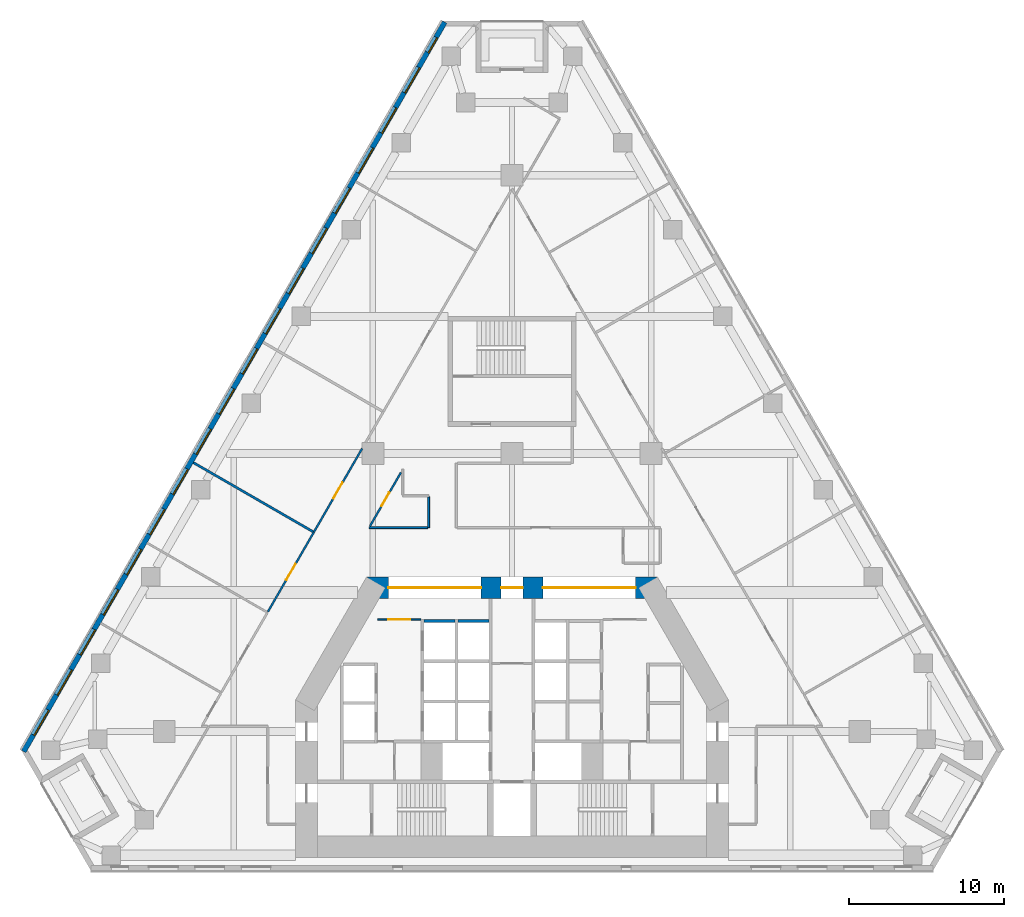
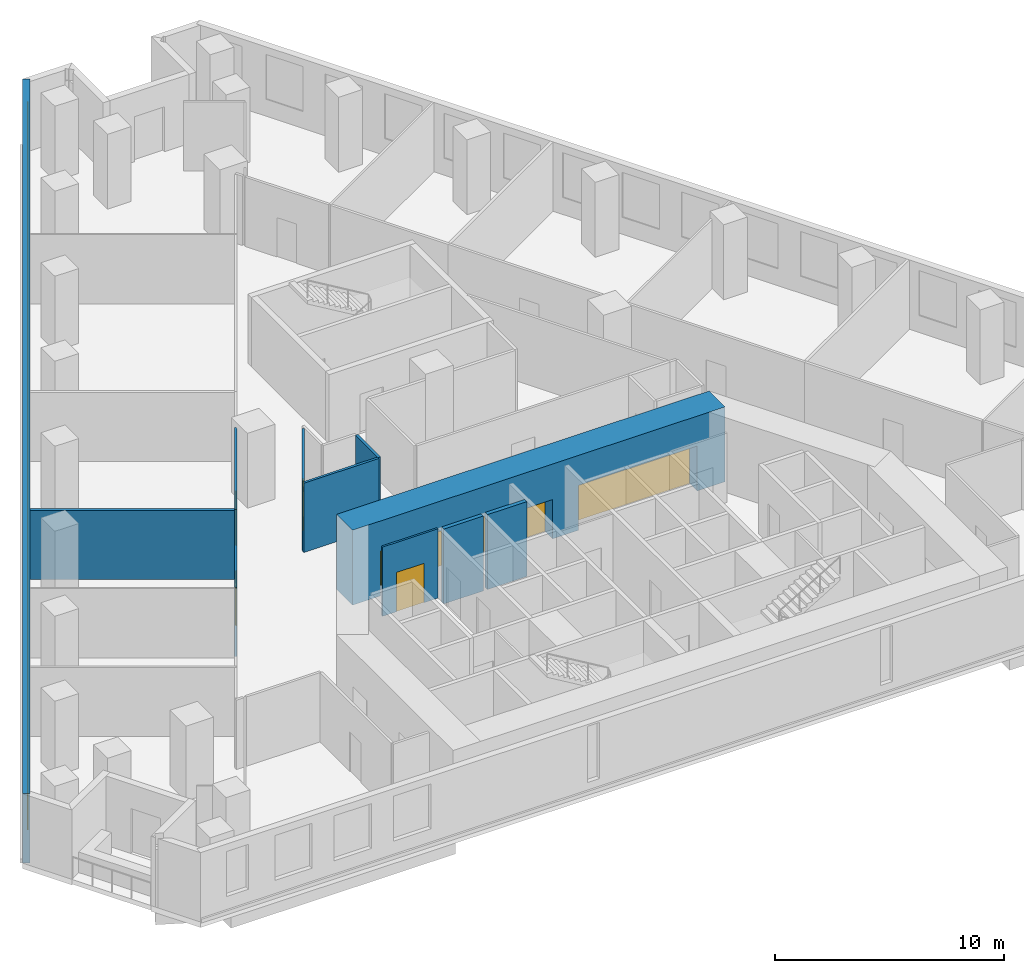
# One storey, part 5 of 11: 18 windows, 11 walls, 7 doors, 25 openings.
"""IFC4 building model written with IfcOpenShell, lengths in metres."""

import ifcopenshell
import ifcopenshell.guid

model = None  # the IFC model being written
_history = None  # IfcOwnerHistory: only IFC2X3 demands one
_inside = {}  # id of a spatial element -> (the spatial element, [elements in it])
_under = {}  # id of a project, library or spatial element -> (it, [spatial elements below it])
_declared = {}  # id of a project -> (the project, [libraries it declares])
_typed = {}  # id of a type object -> (the type object, [elements of that type])
_made_of = {}  # id of a material, layer set ... -> (it, [elements and type objects made of it])


def new_model(schema):
    """Start an empty IFC model of exactly this schema.

    Asked for "IFC4X3", IfcOpenShell would pick the latest addendum, in which some entities
    have other attributes; the version numbers below select the first issue.
    IFC2X3 requires an IfcOwnerHistory on every rooted entity: one is made here for all.
    """
    global model, _history
    if schema == "IFC4X3":
        model = ifcopenshell.file(schema_version=(4, 3, 0, 0))
    else:
        model = ifcopenshell.file(schema=schema)
    _inside.clear()
    _under.clear()
    _declared.clear()
    _typed.clear()
    _made_of.clear()
    _history = None
    if model.schema == "IFC2X3":
        org = make("IfcOrganization", Name="unknown")
        user = make(
            "IfcPersonAndOrganization",
            ThePerson=make("IfcPerson", FamilyName="unknown"),
            TheOrganization=org,
        )
        app = make(
            "IfcApplication",
            ApplicationDeveloper=org,
            Version="unknown",
            ApplicationFullName="unknown",
            ApplicationIdentifier="unknown",
        )
        _history = make(
            "IfcOwnerHistory",
            OwningUser=user,
            OwningApplication=app,
            ChangeAction="ADDED",
            CreationDate=0,
        )
    return model


def make(cls, **values):
    """One entity of the class cls with the attributes given. An attribute that is None is left unset."""
    return model.create_entity(
        cls, **{name: value for name, value in values.items() if value is not None}
    )


def rooted(cls, **values):
    """An entity with a GlobalId (a new one), such as an element, a storey or a relation."""
    return make(cls, GlobalId=ifcopenshell.guid.new(), OwnerHistory=_history, **values)


def si_unit(unit_type, name, prefix=None):
    """IfcSIUnit, for example si_unit("LENGTHUNIT", "METRE", prefix="MILLI")."""
    return make("IfcSIUnit", UnitType=unit_type, Prefix=prefix, Name=name)


def assignment(units):
    """IfcUnitAssignment: the units of a project."""
    return None if units is None else make("IfcUnitAssignment", Units=units)


def point(xyz):
    """IfcCartesianPoint."""
    return None if xyz is None else make("IfcCartesianPoint", Coordinates=xyz)


def direction(xyz):
    """IfcDirection."""
    return None if xyz is None else make("IfcDirection", DirectionRatios=xyz)


def frame(location, z_axis=None, x_axis=None):
    """IfcAxis2Placement3D, a coordinate frame: its origin and axes. An axis left out is left unset."""
    return make(
        "IfcAxis2Placement3D",
        Location=point(location),
        Axis=direction(z_axis),
        RefDirection=direction(x_axis),
    )


def frame_2d(location, x_axis=None):
    """IfcAxis2Placement2D, a coordinate frame in the plane: its origin and x axis."""
    return make(
        "IfcAxis2Placement2D", Location=point(location), RefDirection=direction(x_axis)
    )


def origin():
    """The frame at (0, 0, 0) with its axes left unset."""
    return frame((0.0, 0.0, 0.0))


def place(relative_to, where):
    """IfcLocalPlacement: puts the frame where relative to a parent placement (None: the world)."""
    return make(
        "IfcLocalPlacement", PlacementRelTo=relative_to, RelativePlacement=where
    )


def context(
    kind, dimensions, precision=None, world=None, true_north=None, identifier=None
):
    """IfcGeometricRepresentationContext, for example the 3D "Model" context."""
    return make(
        "IfcGeometricRepresentationContext",
        ContextIdentifier=identifier,
        ContextType=kind,
        CoordinateSpaceDimension=dimensions,
        Precision=precision,
        WorldCoordinateSystem=world,
        TrueNorth=true_north,
    )


def subcontext(parent, identifier, kind, view, scale=None):
    """IfcGeometricRepresentationSubContext, for example "Body" below "Model"."""
    return make(
        "IfcGeometricRepresentationSubContext",
        ContextIdentifier=identifier,
        ContextType=kind,
        ParentContext=parent,
        TargetScale=scale,
        TargetView=view,
    )


def project(units=None, contexts=None):
    """IfcProject with its units and contexts."""
    return rooted(
        "IfcProject",
        Name="project",
        RepresentationContexts=contexts,
        UnitsInContext=assignment(units),
    )


def spatial(cls, under=None, at=None, **own):
    """A site, building, storey or space (cls), placed at a placement, below another one or the project."""
    s = rooted(cls, ObjectPlacement=at, **own)
    if under is not None:
        _under.setdefault(under.id(), (under, []))[1].append(s)
    return s


def profile(cls, at=None, kind="AREA", **sizes):
    """A parametric profile (cls). Its sizes go by their IFC names, for example OverallWidth=200.0."""
    return make(cls, ProfileType=kind, Position=at, **sizes)


def rectangle(**sizes):
    """IfcRectangleProfileDef."""
    return profile("IfcRectangleProfileDef", **sizes)


def extrude(swept, where, along, depth):
    """IfcExtrudedAreaSolid: the profile swept, set in the frame where, extruded along a direction by depth."""
    return make(
        "IfcExtrudedAreaSolid",
        SweptArea=swept,
        Position=where,
        ExtrudedDirection=direction(along),
        Depth=depth,
    )


def shape(context_of_items, identifier, shape_type, items):
    """IfcShapeRepresentation: the items that make up one representation, for example the "Body"."""
    return make(
        "IfcShapeRepresentation",
        ContextOfItems=context_of_items,
        RepresentationIdentifier=identifier,
        RepresentationType=shape_type,
        Items=items,
    )


def material(Name=None, Category=None):
    """IfcMaterial."""
    return make("IfcMaterial", Name=Name, Category=Category)


def layer(
    of_material, thickness, ventilated=None, Name=None, Category=None, Priority=None
):
    """IfcMaterialLayer: one layer of a wall or slab, of a material (None: an air gap)."""
    return make(
        "IfcMaterialLayer",
        Material=of_material,
        LayerThickness=thickness,
        IsVentilated=ventilated,
        Name=Name,
        Category=Category,
        Priority=Priority,
    )


def layer_set(layers, Name=None):
    """IfcMaterialLayerSet."""
    return make("IfcMaterialLayerSet", MaterialLayers=layers, LayerSetName=Name)


def made_of(thing, what):
    """Note that an element or type object is made of a material, layer set ...; save() writes the relation."""
    if what is not None:
        _made_of.setdefault(what.id(), (what, []))[1].append(thing)
    return thing


def type_object(cls, material=None, **own):
    """A type object (cls), such as IfcWallType, which elements share."""
    return made_of(rooted(cls, **own), material)


def element(
    cls,
    number,
    at=None,
    inside=None,
    cuts=None,
    type_object=None,
    material=None,
    context=None,
    identifier="Body",
    shape_type=None,
    held_by="IfcProductDefinitionShape",
    body=None,
    shapes=None,
    **own,
):
    """One element of the class cls, such as IfcWall. Its Tag is "e" and its number.

    at: its placement. inside: the storey or other place that contains it. cuts: it is an
    opening in that element (IfcRelVoidsElement). A single representation is given by context,
    identifier, shape_type and body (its items); several are given by shapes. held_by: the class
    of the entity that holds the representations. save() writes the other relations.
    """
    e = rooted(cls, Tag="e%d" % number, ObjectPlacement=at, **own)
    if body is not None:
        shapes = [shape(context, identifier, shape_type, body)]
    if shapes is not None:
        e.Representation = make(held_by, Representations=shapes)
    if inside is not None:
        _inside.setdefault(inside.id(), (inside, []))[1].append(e)
    if cuts is not None:
        rooted(
            "IfcRelVoidsElement", RelatingBuildingElement=cuts, RelatedOpeningElement=e
        )
    if type_object is not None:
        _typed.setdefault(type_object.id(), (type_object, []))[1].append(e)
    return made_of(e, material)


def fill(opening, filler):
    """IfcRelFillsElement: the door or window that sits in an opening."""
    return rooted(
        "IfcRelFillsElement",
        RelatingOpeningElement=opening,
        RelatedBuildingElement=filler,
    )


def aggregate(whole, parts):
    """IfcRelAggregates: a whole, such as a stair, and the parts it consists of."""
    return rooted("IfcRelAggregates", RelatingObject=whole, RelatedObjects=parts)


def save(model, path):
    """Write the relations noted so far, then the file.

    IfcRelAggregates (storeys below a building ...), IfcRelContainedInSpatialStructure (elements
    in a storey), IfcRelDefinesByType, IfcRelAssociatesMaterial and IfcRelDeclares: one each for
    every whole, place, type object, material and project.
    """
    for whole, parts in _under.values():
        aggregate(whole, parts)
    for where, things in _inside.values():
        rooted(
            "IfcRelContainedInSpatialStructure",
            RelatedElements=things,
            RelatingStructure=where,
        )
    for kind, things in _typed.values():
        rooted("IfcRelDefinesByType", RelatedObjects=things, RelatingType=kind)
    for what, things in _made_of.values():
        rooted("IfcRelAssociatesMaterial", RelatedObjects=things, RelatingMaterial=what)
    for by, libraries in _declared.values():
        rooted("IfcRelDeclares", RelatingContext=by, RelatedDefinitions=libraries)
    model.write(path)


model = new_model("IFC4")

# Units and contexts
model_context = context("Model", 3, precision=1e-05, world=origin(), true_north=direction((0.0, 1.0)))
body_context = subcontext(model_context, "Body", "Model", "MODEL_VIEW")
ifc_project = project(units=[si_unit("LENGTHUNIT", "METRE"), si_unit("AREAUNIT", "SQUARE_METRE"), si_unit("VOLUMEUNIT", "CUBIC_METRE"), si_unit("PLANEANGLEUNIT", "RADIAN"), si_unit("MASSUNIT", "GRAM", prefix="KILO")], contexts=[model_context])

# Site, building, storey
site_placement = place(None, origin())
site = spatial("IfcSite", under=ifc_project, at=site_placement, CompositionType="ELEMENT")
building_placement = place(site_placement, origin())
building = spatial("IfcBuilding", under=site, at=building_placement, Name="Fogline Exchange Tower", CompositionType="ELEMENT")
storey_placement = place(building_placement, frame((0.0, 0.0, 52.89990234375)))
storey = spatial("IfcBuildingStorey", under=building, at=storey_placement, Name="L10", CompositionType="ELEMENT", Elevation=52.89990234375)

# Wall, opening, door
ifc_material_1 = material(Name="Blockwork partition", Category="masonry")
ifc_layer_1 = layer(ifc_material_1, 0.10009765625)
ifc_layer_set_1 = layer_set([ifc_layer_1], Name="CW10")
wall_type_1 = type_object("IfcWallType", Name="CW10", PredefinedType="PARTITIONING", material=ifc_layer_set_1)
wall_1_placement = place(storey_placement, frame((-8.699951171875, 16.25, 0.0), z_axis=(0.0, 0.0, 1.0), x_axis=(1.0, 0.0, 0.0)))
wall_1 = element("IfcWall", 1, at=wall_1_placement, inside=storey, type_object=wall_type_1, Name="Lift lobby partition", PredefinedType="PARTITIONING", context=body_context, shape_type="SweptSolid", body=[
    extrude(rectangle(XDim=2.800048828125, YDim=0.10009765625, at=frame_2d((1.39990234375, 0.0))), origin(), (0.0, 0.0, 1.0), 3.7001953125),
])
opening_1_placement = place(wall_1_placement, frame((0.699951171875, 0.0, 0.0)))
opening_1 = element("IfcOpeningElement", 2, at=opening_1_placement, cuts=wall_1, Name="Opening T03-C007", PredefinedType="OPENING", context=body_context, shape_type="SweptSolid", body=[
    extrude(rectangle(XDim=1.39990234375, YDim=2.10009765625, at=frame_2d((0.699951171875, 1.050048828125))), frame((0.0, 0.06005859375, 0.0), z_axis=(0.0, -1.0, 0.0), x_axis=(1.0, 0.0, 0.0)), (0.0, 0.0, 1.0), 0.1201171875),
])
ifc_material_2 = material(Name="Steel and timber fire door", Category="steel")
door_type_1 = type_object("IfcDoorType", Name="D-LB1", OperationType="DOUBLE_DOOR_SINGLE_SWING", PredefinedType="DOOR", material=ifc_material_2)
door_1_placement = place(opening_1_placement, origin())
door_1 = element("IfcDoor", 3, at=door_1_placement, inside=storey, type_object=door_type_1, Name="Door to lift lobby", OperationType="DOUBLE_DOOR_SINGLE_SWING", OverallHeight=2.10009765625, OverallWidth=1.39990234375, PredefinedType="DOOR", context=body_context, shape_type="SweptSolid", body=[
    extrude(rectangle(XDim=1.39990234375, YDim=2.10009765625, at=frame_2d((0.699951171875, 1.050048828125))), frame((0.0, 0.02490234375, 0.0), z_axis=(0.0, -1.0, 0.0), x_axis=(1.0, 0.0, 0.0)), (0.0, 0.0, 1.0), 0.050048828125),
])
fill(opening_1, door_1)

# Walls
ifc_material_3 = material(Name="Concrete C40", Category="concrete")
ifc_layer_2 = layer(ifc_material_3, 0.199951171875)
ifc_layer_set_2 = layer_set([ifc_layer_2], Name="CW20S")
wall_type_2 = type_object("IfcWallType", Name="CW20S", PredefinedType="SOLIDWALL", material=ifc_layer_set_2)
for number, where, z_axis, x_axis, name in (
    (4, (-5.699951171875, 16.14990234375, -0.2998046875), (0.0, 0.0, 1.0), (1.0, 0.0, 0.0), "Lift shaft wall"),
    (5, (-3.5, 16.14990234375, -0.2998046875), (0.0, 0.0, 1.0), (1.0, 0.0, 0.0), "Lift shaft wall"),
):
    element("IfcWall", number, at=place(storey_placement, frame(where, z_axis=z_axis, x_axis=x_axis)), inside=storey, type_object=wall_type_2, Name=name, PredefinedType="SOLIDWALL", context=body_context, shape_type="SweptSolid", body=[
        extrude(rectangle(XDim=2.0, YDim=0.199951171875, at=frame_2d((1.0, 0.0))), origin(), (0.0, 0.0, 1.0), 4.0),
    ])

# Wall, openings, windows
ifc_material_4 = material(Name="Brick masonry", Category="masonry")
ifc_layer_3 = layer(ifc_material_4, 0.340087890625)
ifc_layer_set_3 = layer_set([ifc_layer_3], Name="FW1")
wall_type_3 = type_object("IfcWallType", Name="FW1", PredefinedType="SOLIDWALL", material=ifc_layer_set_3)
wall_2_placement = place(storey_placement, frame((-4.352783203125, 54.916748046875, 0.0), z_axis=(0.0, 0.0, 1.0), x_axis=(-0.499997975305, -0.86602657274, 0.0)))
wall_2 = element("IfcWall", 6, at=wall_2_placement, inside=storey, type_object=wall_type_3, Name="Brick wall L10 W", PredefinedType="SOLIDWALL", context=body_context, shape_type="SweptSolid", body=[
    extrude(rectangle(XDim=54.510498046875, YDim=0.340087890625, at=frame_2d((27.25537109375, 0.0))), origin(), (0.0, 0.0, 1.0), 3.7001953125),
])
opening_2_placement = place(wall_2_placement, frame((3.3828125, 0.0, 0.89990234375)))
opening_2 = element("IfcOpeningElement", 7, at=opening_2_placement, cuts=wall_2, Name="Opening W1", PredefinedType="OPENING", context=body_context, shape_type="SweptSolid", body=[
    extrude(rectangle(XDim=1.885009765625, YDim=2.39990234375, at=frame_2d((0.9423828125, 1.199951171875))), frame((0.0, 0.18017578125, 0.0), z_axis=(0.0, -1.0, 0.0), x_axis=(1.0, 0.0, 0.0)), (0.0, 0.0, 1.0), 0.360107421875),
])
opening_3_placement = place(wall_2_placement, frame((6.3828125, 0.0, 0.89990234375)))
opening_3 = element("IfcOpeningElement", 8, at=opening_3_placement, cuts=wall_2, Name="Opening W1", PredefinedType="OPENING", context=body_context, shape_type="SweptSolid", body=[
    extrude(rectangle(XDim=1.885009765625, YDim=2.39990234375, at=frame_2d((0.9423828125, 1.199951171875))), frame((0.0, 0.18017578125, 0.0), z_axis=(0.0, -1.0, 0.0), x_axis=(1.0, 0.0, 0.0)), (0.0, 0.0, 1.0), 0.360107421875),
])
opening_4_placement = place(wall_2_placement, frame((9.3828125, 0.0, 0.89990234375)))
opening_4 = element("IfcOpeningElement", 9, at=opening_4_placement, cuts=wall_2, Name="Opening W1", PredefinedType="OPENING", context=body_context, shape_type="SweptSolid", body=[
    extrude(rectangle(XDim=1.885009765625, YDim=2.39990234375, at=frame_2d((0.9423828125, 1.199951171875))), frame((0.0, 0.18017578125, 0.0), z_axis=(0.0, -1.0, 0.0), x_axis=(1.0, 0.0, 0.0)), (0.0, 0.0, 1.0), 0.360107421875),
])
opening_5_placement = place(wall_2_placement, frame((12.3828125, 0.0, 0.89990234375)))
opening_5 = element("IfcOpeningElement", 10, at=opening_5_placement, cuts=wall_2, Name="Opening W1", PredefinedType="OPENING", context=body_context, shape_type="SweptSolid", body=[
    extrude(rectangle(XDim=1.885009765625, YDim=2.39990234375, at=frame_2d((0.9423828125, 1.199951171875))), frame((0.0, 0.18017578125, 0.0), z_axis=(0.0, -1.0, 0.0), x_axis=(1.0, 0.0, 0.0)), (0.0, 0.0, 1.0), 0.360107421875),
])
opening_6_placement = place(wall_2_placement, frame((15.3828125, 0.0, 0.89990234375)))
opening_6 = element("IfcOpeningElement", 11, at=opening_6_placement, cuts=wall_2, Name="Opening W1", PredefinedType="OPENING", context=body_context, shape_type="SweptSolid", body=[
    extrude(rectangle(XDim=1.885009765625, YDim=2.39990234375, at=frame_2d((0.9423828125, 1.199951171875))), frame((0.0, 0.18017578125, 0.0), z_axis=(0.0, -1.0, 0.0), x_axis=(1.0, 0.0, 0.0)), (0.0, 0.0, 1.0), 0.360107421875),
])
opening_7_placement = place(wall_2_placement, frame((18.3828125, 0.0, 0.89990234375)))
opening_7 = element("IfcOpeningElement", 12, at=opening_7_placement, cuts=wall_2, Name="Opening W1", PredefinedType="OPENING", context=body_context, shape_type="SweptSolid", body=[
    extrude(rectangle(XDim=1.885009765625, YDim=2.39990234375, at=frame_2d((0.9423828125, 1.199951171875))), frame((0.0, 0.18017578125, 0.0), z_axis=(0.0, -1.0, 0.0), x_axis=(1.0, 0.0, 0.0)), (0.0, 0.0, 1.0), 0.360107421875),
])
opening_8_placement = place(wall_2_placement, frame((21.3828125, 0.0, 0.89990234375)))
opening_8 = element("IfcOpeningElement", 13, at=opening_8_placement, cuts=wall_2, Name="Opening W1", PredefinedType="OPENING", context=body_context, shape_type="SweptSolid", body=[
    extrude(rectangle(XDim=1.885009765625, YDim=2.39990234375, at=frame_2d((0.9423828125, 1.199951171875))), frame((0.0, 0.18017578125, 0.0), z_axis=(0.0, -1.0, 0.0), x_axis=(1.0, 0.0, 0.0)), (0.0, 0.0, 1.0), 0.360107421875),
])
opening_9_placement = place(wall_2_placement, frame((24.3828125, 0.0, 0.89990234375)))
opening_9 = element("IfcOpeningElement", 14, at=opening_9_placement, cuts=wall_2, Name="Opening W1", PredefinedType="OPENING", context=body_context, shape_type="SweptSolid", body=[
    extrude(rectangle(XDim=1.885009765625, YDim=2.39990234375, at=frame_2d((0.9423828125, 1.199951171875))), frame((0.0, 0.18017578125, 0.0), z_axis=(0.0, -1.0, 0.0), x_axis=(1.0, 0.0, 0.0)), (0.0, 0.0, 1.0), 0.360107421875),
])
opening_10_placement = place(wall_2_placement, frame((27.3828125, 0.0, 0.89990234375)))
opening_10 = element("IfcOpeningElement", 15, at=opening_10_placement, cuts=wall_2, Name="Opening W1", PredefinedType="OPENING", context=body_context, shape_type="SweptSolid", body=[
    extrude(rectangle(XDim=1.885009765625, YDim=2.39990234375, at=frame_2d((0.9423828125, 1.199951171875))), frame((0.0, 0.18017578125, 0.0), z_axis=(0.0, -1.0, 0.0), x_axis=(1.0, 0.0, 0.0)), (0.0, 0.0, 1.0), 0.360107421875),
])
opening_11_placement = place(wall_2_placement, frame((30.3828125, 0.0, 0.89990234375)))
opening_11 = element("IfcOpeningElement", 16, at=opening_11_placement, cuts=wall_2, Name="Opening W1", PredefinedType="OPENING", context=body_context, shape_type="SweptSolid", body=[
    extrude(rectangle(XDim=1.885009765625, YDim=2.39990234375, at=frame_2d((0.9423828125, 1.199951171875))), frame((0.0, 0.18017578125, 0.0), z_axis=(0.0, -1.0, 0.0), x_axis=(1.0, 0.0, 0.0)), (0.0, 0.0, 1.0), 0.360107421875),
])
opening_12_placement = place(wall_2_placement, frame((33.3828125, 0.0, 0.89990234375)))
opening_12 = element("IfcOpeningElement", 17, at=opening_12_placement, cuts=wall_2, Name="Opening W1", PredefinedType="OPENING", context=body_context, shape_type="SweptSolid", body=[
    extrude(rectangle(XDim=1.885009765625, YDim=2.39990234375, at=frame_2d((0.9423828125, 1.199951171875))), frame((0.0, 0.18017578125, 0.0), z_axis=(0.0, -1.0, 0.0), x_axis=(1.0, 0.0, 0.0)), (0.0, 0.0, 1.0), 0.360107421875),
])
opening_13_placement = place(wall_2_placement, frame((36.3828125, 0.0, 0.89990234375)))
opening_13 = element("IfcOpeningElement", 18, at=opening_13_placement, cuts=wall_2, Name="Opening W1", PredefinedType="OPENING", context=body_context, shape_type="SweptSolid", body=[
    extrude(rectangle(XDim=1.885009765625, YDim=2.39990234375, at=frame_2d((0.9423828125, 1.199951171875))), frame((0.0, 0.18017578125, 0.0), z_axis=(0.0, -1.0, 0.0), x_axis=(1.0, 0.0, 0.0)), (0.0, 0.0, 1.0), 0.360107421875),
])
opening_14_placement = place(wall_2_placement, frame((39.3828125, 0.0, 0.89990234375)))
opening_14 = element("IfcOpeningElement", 19, at=opening_14_placement, cuts=wall_2, Name="Opening W1", PredefinedType="OPENING", context=body_context, shape_type="SweptSolid", body=[
    extrude(rectangle(XDim=1.885009765625, YDim=2.39990234375, at=frame_2d((0.9423828125, 1.199951171875))), frame((0.0, 0.18017578125, 0.0), z_axis=(0.0, -1.0, 0.0), x_axis=(1.0, 0.0, 0.0)), (0.0, 0.0, 1.0), 0.360107421875),
])
opening_15_placement = place(wall_2_placement, frame((42.3828125, 0.0, 0.89990234375)))
opening_15 = element("IfcOpeningElement", 20, at=opening_15_placement, cuts=wall_2, Name="Opening W1", PredefinedType="OPENING", context=body_context, shape_type="SweptSolid", body=[
    extrude(rectangle(XDim=1.885009765625, YDim=2.39990234375, at=frame_2d((0.9423828125, 1.199951171875))), frame((0.0, 0.18017578125, 0.0), z_axis=(0.0, -1.0, 0.0), x_axis=(1.0, 0.0, 0.0)), (0.0, 0.0, 1.0), 0.360107421875),
])
opening_16_placement = place(wall_2_placement, frame((45.3828125, 0.0, 0.89990234375)))
opening_16 = element("IfcOpeningElement", 21, at=opening_16_placement, cuts=wall_2, Name="Opening W1", PredefinedType="OPENING", context=body_context, shape_type="SweptSolid", body=[
    extrude(rectangle(XDim=1.885009765625, YDim=2.39990234375, at=frame_2d((0.9423828125, 1.199951171875))), frame((0.0, 0.18017578125, 0.0), z_axis=(0.0, -1.0, 0.0), x_axis=(1.0, 0.0, 0.0)), (0.0, 0.0, 1.0), 0.360107421875),
])
opening_17_placement = place(wall_2_placement, frame((48.3828125, 0.0, 0.89990234375)))
opening_17 = element("IfcOpeningElement", 22, at=opening_17_placement, cuts=wall_2, Name="Opening W1", PredefinedType="OPENING", context=body_context, shape_type="SweptSolid", body=[
    extrude(rectangle(XDim=1.885009765625, YDim=2.39990234375, at=frame_2d((0.9423828125, 1.199951171875))), frame((0.0, 0.18017578125, 0.0), z_axis=(0.0, -1.0, 0.0), x_axis=(1.0, 0.0, 0.0)), (0.0, 0.0, 1.0), 0.360107421875),
])
opening_18_placement = place(wall_2_placement, frame((51.3828125, 0.0, 0.89990234375)))
opening_18 = element("IfcOpeningElement", 23, at=opening_18_placement, cuts=wall_2, Name="Opening W1", PredefinedType="OPENING", context=body_context, shape_type="SweptSolid", body=[
    extrude(rectangle(XDim=1.885009765625, YDim=2.39990234375, at=frame_2d((0.9423828125, 1.199951171875))), frame((0.0, 0.18017578125, 0.0), z_axis=(0.0, -1.0, 0.0), x_axis=(1.0, 0.0, 0.0)), (0.0, 0.0, 1.0), 0.360107421875),
])
opening_19_placement = place(wall_2_placement, frame((1.1337890625, 0.0, 0.89990234375)))
opening_19 = element("IfcOpeningElement", 24, at=opening_19_placement, cuts=wall_2, Name="Opening W4", PredefinedType="OPENING", context=body_context, shape_type="SweptSolid", body=[
    extrude(rectangle(XDim=1.114990234375, YDim=2.39990234375, at=frame_2d((0.5576171875, 1.199951171875))), frame((0.0, 0.18017578125, 0.0), z_axis=(0.0, -1.0, 0.0), x_axis=(1.0, 0.0, 0.0)), (0.0, 0.0, 1.0), 0.360107421875),
])
ifc_material_5 = material(Name="Aluminium and glass", Category="aluminium")
window_type_1 = type_object("IfcWindowType", Name="W1", PartitioningType="SINGLE_PANEL", PredefinedType="WINDOW", material=ifc_material_5)
window_1_placement = place(opening_2_placement, origin())
window_1 = element("IfcWindow", 25, at=window_1_placement, inside=storey, type_object=window_type_1, Name="W1 W1", OverallHeight=2.39990234375, OverallWidth=1.885009765625, PartitioningType="SINGLE_PANEL", PredefinedType="WINDOW", context=body_context, shape_type="SweptSolid", body=[
    extrude(rectangle(XDim=1.885009765625, YDim=2.39990234375, at=frame_2d((0.9423828125, 1.199951171875))), frame((0.0, 0.110107421875, 0.0), z_axis=(0.0, -1.0, 0.0), x_axis=(1.0, 0.0, 0.0)), (0.0, 0.0, 1.0), 0.06005859375),
])
fill(opening_2, window_1)
window_2_placement = place(opening_3_placement, origin())
window_2 = element("IfcWindow", 26, at=window_2_placement, inside=storey, type_object=window_type_1, Name="W1 W1", OverallHeight=2.39990234375, OverallWidth=1.885009765625, PartitioningType="SINGLE_PANEL", PredefinedType="WINDOW", context=body_context, shape_type="SweptSolid", body=[
    extrude(rectangle(XDim=1.885009765625, YDim=2.39990234375, at=frame_2d((0.9423828125, 1.199951171875))), frame((0.0, 0.110107421875, 0.0), z_axis=(0.0, -1.0, 0.0), x_axis=(1.0, 0.0, 0.0)), (0.0, 0.0, 1.0), 0.06005859375),
])
fill(opening_3, window_2)
window_3_placement = place(opening_4_placement, origin())
window_3 = element("IfcWindow", 27, at=window_3_placement, inside=storey, type_object=window_type_1, Name="W1 W1", OverallHeight=2.39990234375, OverallWidth=1.885009765625, PartitioningType="SINGLE_PANEL", PredefinedType="WINDOW", context=body_context, shape_type="SweptSolid", body=[
    extrude(rectangle(XDim=1.885009765625, YDim=2.39990234375, at=frame_2d((0.9423828125, 1.199951171875))), frame((0.0, 0.110107421875, 0.0), z_axis=(0.0, -1.0, 0.0), x_axis=(1.0, 0.0, 0.0)), (0.0, 0.0, 1.0), 0.06005859375),
])
fill(opening_4, window_3)
window_4_placement = place(opening_5_placement, origin())
window_4 = element("IfcWindow", 28, at=window_4_placement, inside=storey, type_object=window_type_1, Name="W1 W1", OverallHeight=2.39990234375, OverallWidth=1.885009765625, PartitioningType="SINGLE_PANEL", PredefinedType="WINDOW", context=body_context, shape_type="SweptSolid", body=[
    extrude(rectangle(XDim=1.885009765625, YDim=2.39990234375, at=frame_2d((0.9423828125, 1.199951171875))), frame((0.0, 0.110107421875, 0.0), z_axis=(0.0, -1.0, 0.0), x_axis=(1.0, 0.0, 0.0)), (0.0, 0.0, 1.0), 0.06005859375),
])
fill(opening_5, window_4)
window_5_placement = place(opening_6_placement, origin())
window_5 = element("IfcWindow", 29, at=window_5_placement, inside=storey, type_object=window_type_1, Name="W1 W1", OverallHeight=2.39990234375, OverallWidth=1.885009765625, PartitioningType="SINGLE_PANEL", PredefinedType="WINDOW", context=body_context, shape_type="SweptSolid", body=[
    extrude(rectangle(XDim=1.885009765625, YDim=2.39990234375, at=frame_2d((0.9423828125, 1.199951171875))), frame((0.0, 0.110107421875, 0.0), z_axis=(0.0, -1.0, 0.0), x_axis=(1.0, 0.0, 0.0)), (0.0, 0.0, 1.0), 0.06005859375),
])
fill(opening_6, window_5)
window_6_placement = place(opening_7_placement, origin())
window_6 = element("IfcWindow", 30, at=window_6_placement, inside=storey, type_object=window_type_1, Name="W1 W1", OverallHeight=2.39990234375, OverallWidth=1.885009765625, PartitioningType="SINGLE_PANEL", PredefinedType="WINDOW", context=body_context, shape_type="SweptSolid", body=[
    extrude(rectangle(XDim=1.885009765625, YDim=2.39990234375, at=frame_2d((0.9423828125, 1.199951171875))), frame((0.0, 0.110107421875, 0.0), z_axis=(0.0, -1.0, 0.0), x_axis=(1.0, 0.0, 0.0)), (0.0, 0.0, 1.0), 0.06005859375),
])
fill(opening_7, window_6)
window_7_placement = place(opening_8_placement, origin())
window_7 = element("IfcWindow", 31, at=window_7_placement, inside=storey, type_object=window_type_1, Name="W1 W1", OverallHeight=2.39990234375, OverallWidth=1.885009765625, PartitioningType="SINGLE_PANEL", PredefinedType="WINDOW", context=body_context, shape_type="SweptSolid", body=[
    extrude(rectangle(XDim=1.885009765625, YDim=2.39990234375, at=frame_2d((0.9423828125, 1.199951171875))), frame((0.0, 0.110107421875, 0.0), z_axis=(0.0, -1.0, 0.0), x_axis=(1.0, 0.0, 0.0)), (0.0, 0.0, 1.0), 0.06005859375),
])
fill(opening_8, window_7)
window_8_placement = place(opening_9_placement, origin())
window_8 = element("IfcWindow", 32, at=window_8_placement, inside=storey, type_object=window_type_1, Name="W1 W1", OverallHeight=2.39990234375, OverallWidth=1.885009765625, PartitioningType="SINGLE_PANEL", PredefinedType="WINDOW", context=body_context, shape_type="SweptSolid", body=[
    extrude(rectangle(XDim=1.885009765625, YDim=2.39990234375, at=frame_2d((0.9423828125, 1.199951171875))), frame((0.0, 0.110107421875, 0.0), z_axis=(0.0, -1.0, 0.0), x_axis=(1.0, 0.0, 0.0)), (0.0, 0.0, 1.0), 0.06005859375),
])
fill(opening_9, window_8)
window_9_placement = place(opening_10_placement, origin())
window_9 = element("IfcWindow", 33, at=window_9_placement, inside=storey, type_object=window_type_1, Name="W1 W1", OverallHeight=2.39990234375, OverallWidth=1.885009765625, PartitioningType="SINGLE_PANEL", PredefinedType="WINDOW", context=body_context, shape_type="SweptSolid", body=[
    extrude(rectangle(XDim=1.885009765625, YDim=2.39990234375, at=frame_2d((0.9423828125, 1.199951171875))), frame((0.0, 0.110107421875, 0.0), z_axis=(0.0, -1.0, 0.0), x_axis=(1.0, 0.0, 0.0)), (0.0, 0.0, 1.0), 0.06005859375),
])
fill(opening_10, window_9)
window_10_placement = place(opening_11_placement, origin())
window_10 = element("IfcWindow", 34, at=window_10_placement, inside=storey, type_object=window_type_1, Name="W1 W1", OverallHeight=2.39990234375, OverallWidth=1.885009765625, PartitioningType="SINGLE_PANEL", PredefinedType="WINDOW", context=body_context, shape_type="SweptSolid", body=[
    extrude(rectangle(XDim=1.885009765625, YDim=2.39990234375, at=frame_2d((0.9423828125, 1.199951171875))), frame((0.0, 0.110107421875, 0.0), z_axis=(0.0, -1.0, 0.0), x_axis=(1.0, 0.0, 0.0)), (0.0, 0.0, 1.0), 0.06005859375),
])
fill(opening_11, window_10)
window_11_placement = place(opening_12_placement, origin())
window_11 = element("IfcWindow", 35, at=window_11_placement, inside=storey, type_object=window_type_1, Name="W1 W1", OverallHeight=2.39990234375, OverallWidth=1.885009765625, PartitioningType="SINGLE_PANEL", PredefinedType="WINDOW", context=body_context, shape_type="SweptSolid", body=[
    extrude(rectangle(XDim=1.885009765625, YDim=2.39990234375, at=frame_2d((0.9423828125, 1.199951171875))), frame((0.0, 0.110107421875, 0.0), z_axis=(0.0, -1.0, 0.0), x_axis=(1.0, 0.0, 0.0)), (0.0, 0.0, 1.0), 0.06005859375),
])
fill(opening_12, window_11)
window_12_placement = place(opening_13_placement, origin())
window_12 = element("IfcWindow", 36, at=window_12_placement, inside=storey, type_object=window_type_1, Name="W1 W1", OverallHeight=2.39990234375, OverallWidth=1.885009765625, PartitioningType="SINGLE_PANEL", PredefinedType="WINDOW", context=body_context, shape_type="SweptSolid", body=[
    extrude(rectangle(XDim=1.885009765625, YDim=2.39990234375, at=frame_2d((0.9423828125, 1.199951171875))), frame((0.0, 0.110107421875, 0.0), z_axis=(0.0, -1.0, 0.0), x_axis=(1.0, 0.0, 0.0)), (0.0, 0.0, 1.0), 0.06005859375),
])
fill(opening_13, window_12)
window_13_placement = place(opening_14_placement, origin())
window_13 = element("IfcWindow", 37, at=window_13_placement, inside=storey, type_object=window_type_1, Name="W1 W1", OverallHeight=2.39990234375, OverallWidth=1.885009765625, PartitioningType="SINGLE_PANEL", PredefinedType="WINDOW", context=body_context, shape_type="SweptSolid", body=[
    extrude(rectangle(XDim=1.885009765625, YDim=2.39990234375, at=frame_2d((0.9423828125, 1.199951171875))), frame((0.0, 0.110107421875, 0.0), z_axis=(0.0, -1.0, 0.0), x_axis=(1.0, 0.0, 0.0)), (0.0, 0.0, 1.0), 0.06005859375),
])
fill(opening_14, window_13)
window_14_placement = place(opening_15_placement, origin())
window_14 = element("IfcWindow", 38, at=window_14_placement, inside=storey, type_object=window_type_1, Name="W1 W1", OverallHeight=2.39990234375, OverallWidth=1.885009765625, PartitioningType="SINGLE_PANEL", PredefinedType="WINDOW", context=body_context, shape_type="SweptSolid", body=[
    extrude(rectangle(XDim=1.885009765625, YDim=2.39990234375, at=frame_2d((0.9423828125, 1.199951171875))), frame((0.0, 0.110107421875, 0.0), z_axis=(0.0, -1.0, 0.0), x_axis=(1.0, 0.0, 0.0)), (0.0, 0.0, 1.0), 0.06005859375),
])
fill(opening_15, window_14)
window_15_placement = place(opening_16_placement, origin())
window_15 = element("IfcWindow", 39, at=window_15_placement, inside=storey, type_object=window_type_1, Name="W1 W1", OverallHeight=2.39990234375, OverallWidth=1.885009765625, PartitioningType="SINGLE_PANEL", PredefinedType="WINDOW", context=body_context, shape_type="SweptSolid", body=[
    extrude(rectangle(XDim=1.885009765625, YDim=2.39990234375, at=frame_2d((0.9423828125, 1.199951171875))), frame((0.0, 0.110107421875, 0.0), z_axis=(0.0, -1.0, 0.0), x_axis=(1.0, 0.0, 0.0)), (0.0, 0.0, 1.0), 0.06005859375),
])
fill(opening_16, window_15)
window_16_placement = place(opening_17_placement, origin())
window_16 = element("IfcWindow", 40, at=window_16_placement, inside=storey, type_object=window_type_1, Name="W1 W1", OverallHeight=2.39990234375, OverallWidth=1.885009765625, PartitioningType="SINGLE_PANEL", PredefinedType="WINDOW", context=body_context, shape_type="SweptSolid", body=[
    extrude(rectangle(XDim=1.885009765625, YDim=2.39990234375, at=frame_2d((0.9423828125, 1.199951171875))), frame((0.0, 0.110107421875, 0.0), z_axis=(0.0, -1.0, 0.0), x_axis=(1.0, 0.0, 0.0)), (0.0, 0.0, 1.0), 0.06005859375),
])
fill(opening_17, window_16)
window_17_placement = place(opening_18_placement, origin())
window_17 = element("IfcWindow", 41, at=window_17_placement, inside=storey, type_object=window_type_1, Name="W1 W1", OverallHeight=2.39990234375, OverallWidth=1.885009765625, PartitioningType="SINGLE_PANEL", PredefinedType="WINDOW", context=body_context, shape_type="SweptSolid", body=[
    extrude(rectangle(XDim=1.885009765625, YDim=2.39990234375, at=frame_2d((0.9423828125, 1.199951171875))), frame((0.0, 0.110107421875, 0.0), z_axis=(0.0, -1.0, 0.0), x_axis=(1.0, 0.0, 0.0)), (0.0, 0.0, 1.0), 0.06005859375),
])
fill(opening_18, window_17)
window_type_2 = type_object("IfcWindowType", Name="W4", PartitioningType="SINGLE_PANEL", PredefinedType="WINDOW", material=ifc_material_5)
window_18_placement = place(opening_19_placement, origin())
window_18 = element("IfcWindow", 42, at=window_18_placement, inside=storey, type_object=window_type_2, Name="W4 W4", OverallHeight=2.39990234375, OverallWidth=1.114990234375, PartitioningType="SINGLE_PANEL", PredefinedType="WINDOW", context=body_context, shape_type="SweptSolid", body=[
    extrude(rectangle(XDim=1.114990234375, YDim=2.39990234375, at=frame_2d((0.5576171875, 1.199951171875))), frame((0.0, 0.110107421875, 0.0), z_axis=(0.0, -1.0, 0.0), x_axis=(1.0, 0.0, 0.0)), (0.0, 0.0, 1.0), 0.06005859375),
])
fill(opening_19, window_18)

# Wall
ifc_material_6 = material(Name="Plasterboard corridor partition with mineral wool, 2 layers each side")
ifc_layer_4 = layer(ifc_material_6, 0.125)
ifc_layer_set_4 = layer_set([ifc_layer_4], Name="PW2")
wall_type_4 = type_object("IfcWallType", Name="PW2", PredefinedType="PARTITIONING", material=ifc_layer_set_4)
wall_3_placement = place(storey_placement, frame((-9.246826171875, 22.199951171875, 0.0), z_axis=(0.0, 0.0, 1.0), x_axis=(1.0, 0.0, 0.0)))
element("IfcWall", 43, at=wall_3_placement, inside=storey, type_object=wall_type_4, Name="wall-L10-W007", PredefinedType="PARTITIONING", context=body_context, shape_type="SweptSolid", body=[
    extrude(rectangle(XDim=3.784423828125, YDim=0.125, at=frame_2d((1.89208984375, 0.0))), origin(), (0.0, 0.0, 1.0), 3.7001953125),
])

# Wall, opening, door
wall_4_placement = place(storey_placement, frame((-12.823974609375, 21.904052734375, 0.0), z_axis=(0.0, 0.0, 1.0), x_axis=(0.500005450501, 0.866022256913, 0.0)))
wall_4 = element("IfcWall", 44, at=wall_4_placement, inside=storey, type_object=wall_type_4, Name="wall-L10-W020", PredefinedType="PARTITIONING", context=body_context, shape_type="SweptSolid", body=[
    extrude(rectangle(XDim=6.248046875, YDim=0.125, at=frame_2d((3.1240234375, 0.0))), origin(), (0.0, 0.0, 1.0), 3.7001953125),
])
opening_20_placement = place(wall_4_placement, frame((2.52392578125, 0.0, 0.0)))
opening_20 = element("IfcOpeningElement", 45, at=opening_20_placement, cuts=wall_4, Name="Opening T03-D011", PredefinedType="OPENING", context=body_context, shape_type="SweptSolid", body=[
    extrude(rectangle(XDim=1.199951171875, YDim=2.10009765625, at=frame_2d((0.60009765625, 1.050048828125))), frame((0.0, 0.072509765625, 0.0), z_axis=(0.0, -1.0, 0.0), x_axis=(1.0, 0.0, 0.0)), (0.0, 0.0, 1.0), 0.14501953125),
])
ifc_material_7 = material(Name="Fire-rated glazed door leaf with steel frame", Category="steel")
door_type_2 = type_object("IfcDoorType", Name="D5", OperationType="SINGLE_SWING_LEFT", PredefinedType="DOOR", material=ifc_material_7)
door_2_placement = place(opening_20_placement, origin())
door_2 = element("IfcDoor", 46, at=door_2_placement, inside=storey, type_object=door_type_2, Name="door-L10-D011", OperationType="SINGLE_SWING_LEFT", OverallHeight=2.10009765625, OverallWidth=1.199951171875, PredefinedType="DOOR", context=body_context, shape_type="SweptSolid", body=[
    extrude(rectangle(XDim=1.199951171875, YDim=2.10009765625, at=frame_2d((0.60009765625, 1.050048828125))), frame((0.0, 0.02490234375, 0.0), z_axis=(0.0, -1.0, 0.0), x_axis=(1.0, 0.0, 0.0)), (0.0, 0.0, 1.0), 0.050048828125),
])
fill(opening_20, door_2)

wall_5_placement = place(storey_placement, frame((-7.186767578125, 25.76806640625, 0.0), z_axis=(0.0, 0.0, 1.0), x_axis=(-0.499994660107, -0.866028486751, 0.0)))
wall_5 = element("IfcWall", 47, at=wall_5_placement, inside=storey, type_object=wall_type_4, Name="wall-L10-W022", PredefinedType="PARTITIONING", context=body_context, shape_type="SweptSolid", body=[
    extrude(rectangle(XDim=4.01123046875, YDim=0.125, at=frame_2d((2.005615234375, 0.0))), origin(), (0.0, 0.0, 1.0), 3.7001953125),
])
opening_21_placement = place(wall_5_placement, frame((1.505615234375, 0.0, 0.0)))
opening_21 = element("IfcOpeningElement", 48, at=opening_21_placement, cuts=wall_5, Name="Opening T03-D012", PredefinedType="OPENING", context=body_context, shape_type="SweptSolid", body=[
    extrude(rectangle(XDim=1.0, YDim=2.10009765625, at=frame_2d((0.5, 1.050048828125))), frame((0.0, 0.072509765625, 0.0), z_axis=(0.0, -1.0, 0.0), x_axis=(1.0, 0.0, 0.0)), (0.0, 0.0, 1.0), 0.14501953125),
])
ifc_material_8 = material(Name="Fire-rated timber door leaf with steel frame", Category="steel")
door_type_3 = type_object("IfcDoorType", Name="D3", OperationType="SINGLE_SWING_LEFT", PredefinedType="DOOR", material=ifc_material_8)
door_3_placement = place(opening_21_placement, origin())
door_3 = element("IfcDoor", 49, at=door_3_placement, inside=storey, type_object=door_type_3, Name="door-L10-D012", OperationType="SINGLE_SWING_LEFT", OverallHeight=2.10009765625, OverallWidth=1.0, PredefinedType="DOOR", context=body_context, shape_type="SweptSolid", body=[
    extrude(rectangle(XDim=1.0, YDim=2.10009765625, at=frame_2d((0.5, 1.050048828125))), frame((0.0, 0.02490234375, 0.0), z_axis=(0.0, -1.0, 0.0), x_axis=(1.0, 0.0, 0.0)), (0.0, 0.0, 1.0), 0.050048828125),
])
fill(opening_21, door_3)

wall_6_placement = place(storey_placement, frame((-15.798828125, 16.751708984375, 0.0), z_axis=(0.0, 0.0, 1.0), x_axis=(0.500018463402, 0.866014743672, 0.0)))
wall_6 = element("IfcWall", 50, at=wall_6_placement, inside=storey, type_object=wall_type_4, Name="wall-L10-W023", PredefinedType="PARTITIONING", context=body_context, shape_type="SweptSolid", body=[
    extrude(rectangle(XDim=5.949462890625, YDim=0.125, at=frame_2d((2.974609375, 0.0))), origin(), (0.0, 0.0, 1.0), 3.7001953125),
])
opening_22_placement = place(wall_6_placement, frame((2.374755859375, 0.0, 0.0)))
opening_22 = element("IfcOpeningElement", 51, at=opening_22_placement, cuts=wall_6, Name="Opening T03-D013", PredefinedType="OPENING", context=body_context, shape_type="SweptSolid", body=[
    extrude(rectangle(XDim=1.199951171875, YDim=2.10009765625, at=frame_2d((0.60009765625, 1.050048828125))), frame((0.0, 0.072509765625, 0.0), z_axis=(0.0, -1.0, 0.0), x_axis=(1.0, 0.0, 0.0)), (0.0, 0.0, 1.0), 0.14501953125),
])
door_4_placement = place(opening_22_placement, origin())
door_4 = element("IfcDoor", 52, at=door_4_placement, inside=storey, type_object=door_type_2, Name="door-L10-D013", OperationType="SINGLE_SWING_LEFT", OverallHeight=2.10009765625, OverallWidth=1.199951171875, PredefinedType="DOOR", context=body_context, shape_type="SweptSolid", body=[
    extrude(rectangle(XDim=1.199951171875, YDim=2.10009765625, at=frame_2d((0.60009765625, 1.050048828125))), frame((0.0, 0.02490234375, 0.0), z_axis=(0.0, -1.0, 0.0), x_axis=(1.0, 0.0, 0.0)), (0.0, 0.0, 1.0), 0.050048828125),
])
fill(opening_22, door_4)

# Walls
wall_7_placement = place(storey_placement, frame((-5.39990234375, 22.199951171875, 0.0), z_axis=(0.0, 0.0, 1.0), x_axis=(0.0, 1.0, 0.0)))
element("IfcWall", 53, at=wall_7_placement, inside=storey, type_object=wall_type_4, Name="wall-L10-W038", PredefinedType="PARTITIONING", context=body_context, shape_type="SweptSolid", body=[
    extrude(rectangle(XDim=1.99462890625, YDim=0.125, at=frame_2d((0.997314453125, 0.0))), origin(), (0.0, 0.0, 1.0), 3.7001953125),
])
ifc_material_9 = material(Name="Plasterboard demising partition with mineral wool and acoustic board")
ifc_layer_5 = layer(ifc_material_9, 0.14990234375)
ifc_layer_set_5 = layer_set([ifc_layer_5], Name="PW3")
wall_type_5 = type_object("IfcWallType", Name="PW3", PredefinedType="PARTITIONING", material=ifc_layer_set_5)
wall_8_placement = place(storey_placement, frame((-12.878173828125, 21.935302734375, 0.0), z_axis=(0.0, 0.0, 1.0), x_axis=(-0.866022276127, 0.500005417223, 0.0)))
element("IfcWall", 54, at=wall_8_placement, inside=storey, type_object=wall_type_5, Name="wall-L10-W050", PredefinedType="PARTITIONING", context=body_context, shape_type="SweptSolid", body=[
    extrude(rectangle(XDim=8.9375, YDim=0.14990234375, at=frame_2d((4.46875, 0.0))), origin(), (0.0, 0.0, 1.0), 3.7001953125),
])

# Wall, openings, doors
ifc_material_10 = material(Name="Concrete C60", Category="concrete")
ifc_layer_6 = layer(ifc_material_10, 1.39990234375)
ifc_layer_set_6 = layer_set([ifc_layer_6], Name="SW01")
wall_type_6 = type_object("IfcWallType", Name="SW01", PredefinedType="SHEAR", material=ifc_layer_set_6)
wall_9_placement = place(storey_placement, frame((9.41162109375, 18.300048828125, 0.0), z_axis=(0.0, 0.0, 1.0), x_axis=(-1.0, 0.0, 0.0)))
wall_9 = element("IfcWall", 55, at=wall_9_placement, inside=storey, type_object=wall_type_6, Name="L10-W904", PredefinedType="SHEAR", context=body_context, shape_type="SweptSolid", body=[
    extrude(rectangle(XDim=18.8232421875, YDim=1.39990234375, at=frame_2d((9.41162109375, 0.0))), origin(), (0.0, 0.0, 1.0), 4.0),
])
opening_23_placement = place(wall_9_placement, frame((8.71142578125, 0.0, 0.0)))
opening_23 = element("IfcOpeningElement", 56, at=opening_23_placement, cuts=wall_9, Name="Opening T03-C020", PredefinedType="OPENING", context=body_context, shape_type="SweptSolid", body=[
    extrude(rectangle(XDim=1.39990234375, YDim=2.10009765625, at=frame_2d((0.699951171875, 1.050048828125))), frame((0.0, 0.7099609375, 0.0), z_axis=(0.0, -1.0, 0.0), x_axis=(1.0, 0.0, 0.0)), (0.0, 0.0, 1.0), 1.419921875),
])
opening_24_placement = place(wall_9_placement, frame((11.41162109375, 0.0, 0.0)))
opening_24 = element("IfcOpeningElement", 57, at=opening_24_placement, cuts=wall_9, Name="Opening T03-C021", PredefinedType="OPENING", context=body_context, shape_type="SweptSolid", body=[
    extrude(rectangle(XDim=6.0, YDim=2.39990234375, at=frame_2d((3.0, 1.199951171875))), frame((0.0, 0.7099609375, 0.0), z_axis=(0.0, -1.0, 0.0), x_axis=(1.0, 0.0, 0.0)), (0.0, 0.0, 1.0), 1.419921875),
])
opening_25_placement = place(wall_9_placement, frame((1.41162109375, 0.0, 0.0)))
opening_25 = element("IfcOpeningElement", 58, at=opening_25_placement, cuts=wall_9, Name="Opening T03-C022", PredefinedType="OPENING", context=body_context, shape_type="SweptSolid", body=[
    extrude(rectangle(XDim=6.0, YDim=2.39990234375, at=frame_2d((3.0, 1.199951171875))), frame((0.0, 0.7099609375, 0.0), z_axis=(0.0, -1.0, 0.0), x_axis=(1.0, 0.0, 0.0)), (0.0, 0.0, 1.0), 1.419921875),
])
door_5_placement = place(opening_23_placement, origin())
door_5 = element("IfcDoor", 59, at=door_5_placement, inside=storey, type_object=door_type_1, Name="Protected lobby door", OperationType="DOUBLE_DOOR_SINGLE_SWING", OverallHeight=2.10009765625, OverallWidth=1.39990234375, PredefinedType="DOOR", context=body_context, shape_type="SweptSolid", body=[
    extrude(rectangle(XDim=1.39990234375, YDim=2.10009765625, at=frame_2d((0.699951171875, 1.050048828125))), frame((0.0, 0.02490234375, 0.0), z_axis=(0.0, -1.0, 0.0), x_axis=(1.0, 0.0, 0.0)), (0.0, 0.0, 1.0), 0.050048828125),
])
fill(opening_23, door_5)
door_type_4 = type_object("IfcDoorType", Name="D-LE1", OperationType="DOUBLE_DOOR_SLIDING", PredefinedType="DOOR", material=ifc_material_2)
door_6_placement = place(opening_24_placement, origin())
door_6 = element("IfcDoor", 60, at=door_6_placement, inside=storey, type_object=door_type_4, Name="Lift lobby entrance west", OperationType="DOUBLE_DOOR_SLIDING", OverallHeight=2.39990234375, OverallWidth=6.0, PredefinedType="DOOR", context=body_context, shape_type="SweptSolid", body=[
    extrude(rectangle(XDim=6.0, YDim=2.39990234375, at=frame_2d((3.0, 1.199951171875))), frame((0.0, 0.02490234375, 0.0), z_axis=(0.0, -1.0, 0.0), x_axis=(1.0, 0.0, 0.0)), (0.0, 0.0, 1.0), 0.050048828125),
])
fill(opening_24, door_6)
door_7_placement = place(opening_25_placement, origin())
door_7 = element("IfcDoor", 61, at=door_7_placement, inside=storey, type_object=door_type_4, Name="Lift lobby entrance east", OperationType="DOUBLE_DOOR_SLIDING", OverallHeight=2.39990234375, OverallWidth=6.0, PredefinedType="DOOR", context=body_context, shape_type="SweptSolid", body=[
    extrude(rectangle(XDim=6.0, YDim=2.39990234375, at=frame_2d((3.0, 1.199951171875))), frame((0.0, 0.02490234375, 0.0), z_axis=(0.0, -1.0, 0.0), x_axis=(1.0, 0.0, 0.0)), (0.0, 0.0, 1.0), 0.050048828125),
])
fill(opening_25, door_7)

save(model, "model.ifc")
